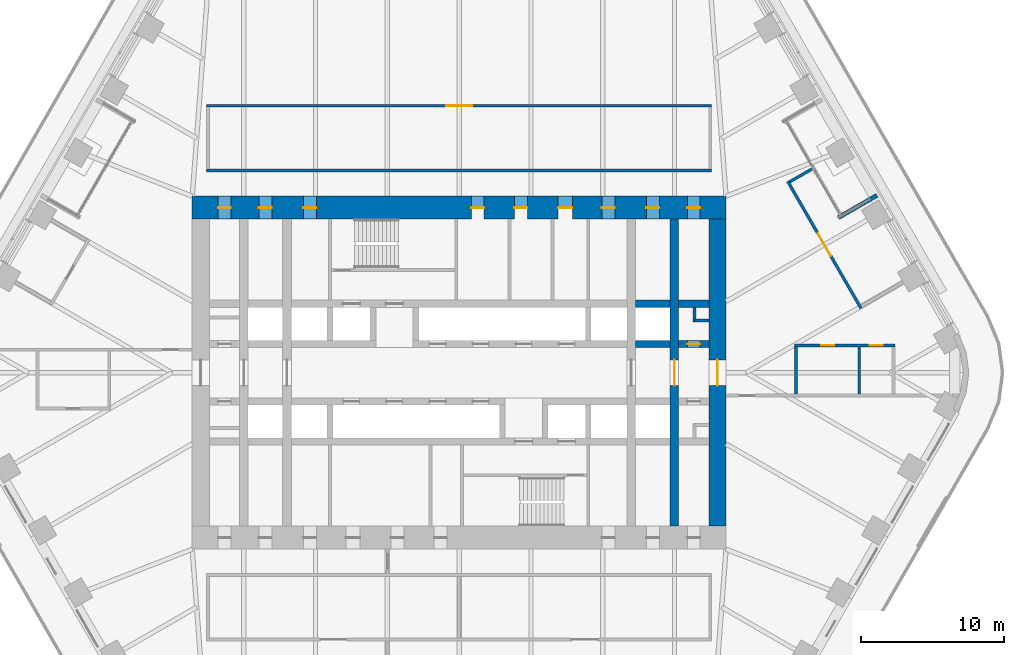
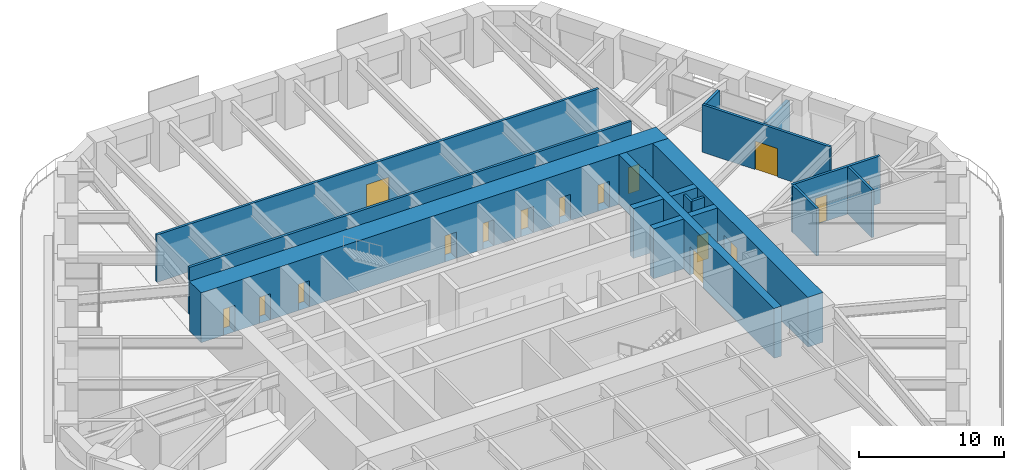
# One storey, part 20 of 24: 17 walls, 16 doors, 16 openings.
"""IFC4 building model written with IfcOpenShell, lengths in metres."""

from ifc_helpers import new_model, si_unit, direction, frame, frame_2d, origin, place, context, subcontext, project, spatial, rectangle, extrude, material, layer, layer_set, type_object, element, fill, save


model = new_model("IFC4")

# Units and contexts
model_context = context("Model", 3, precision=1e-05, world=origin(), true_north=direction((0.0, 1.0)))
body_context = subcontext(model_context, "Body", "Model", "MODEL_VIEW")
ifc_project = project(units=[si_unit("LENGTHUNIT", "METRE"), si_unit("AREAUNIT", "SQUARE_METRE"), si_unit("VOLUMEUNIT", "CUBIC_METRE"), si_unit("PLANEANGLEUNIT", "RADIAN"), si_unit("MASSUNIT", "GRAM", prefix="KILO")], contexts=[model_context])

# Site, building, storey
site_placement = place(None, origin())
site = spatial("IfcSite", under=ifc_project, at=site_placement, CompositionType="ELEMENT")
building_placement = place(site_placement, origin())
building = spatial("IfcBuilding", under=site, at=building_placement, Name="Tarfa Lantern Tower", CompositionType="ELEMENT")
storey_placement = place(building_placement, frame((0.0, 0.0, 174.10009765625)))
storey = spatial("IfcBuildingStorey", under=building, at=storey_placement, Name="L39", CompositionType="ELEMENT", Elevation=174.10009765625)

# Walls
ifc_material_1 = material(Name="Limestone cladding on blockwork", Category="masonry")
ifc_layer_1 = layer(ifc_material_1, 0.300048828125)
ifc_layer_set_1 = layer_set([ifc_layer_1], Name="EW1 STONE-CLAD WALL 300")
wall_type_1 = type_object("IfcWallType", Name="EW1 STONE-CLAD WALL 300", PredefinedType="SOLIDWALL", material=ifc_layer_set_1)
wall_1_placement = place(storey_placement, frame((29.1201171875, 12.362548828125, 0.0), z_axis=(0.0, 0.0, 1.0), x_axis=(-0.86602952684, -0.49999285859, 0.0)))
element("IfcWall", 1, at=wall_1_placement, inside=storey, type_object=wall_type_1, Name="Loggia return NE 1", PredefinedType="SOLIDWALL", context=body_context, shape_type="SweptSolid", body=[
    extrude(rectangle(XDim=3.10009765625, YDim=0.300048828125, at=frame_2d((1.550048828125, 0.0))), origin(), (0.0, 0.0, 1.0), 2.75),
])
ifc_material_2 = material(Name="Concrete blockwork", Category="masonry")
ifc_layer_2 = layer(ifc_material_2, 0.199951171875)
ifc_layer_set_2 = layer_set([ifc_layer_2], Name="IW1 BLOCKWORK PARTITION 200 EI 120")
wall_type_2 = type_object("IfcWallType", Name="IW1 BLOCKWORK PARTITION 200 EI 120", PredefinedType="PARTITIONING", material=ifc_layer_set_2)
for number, where, z_axis, x_axis, name in (
    (2, (16.39990234375, 3.64990234375, 0.0), (0.0, 0.0, 1.0), (1.0, 0.0, 0.0), "Core partition"),
    (3, (16.39990234375, 3.550048828125, 0.0), (0.0, 0.0, 1.0), (0.0, 1.0, 0.0), "Core partition"),
):
    element("IfcWall", number, at=place(storey_placement, frame(where, z_axis=z_axis, x_axis=x_axis)), inside=storey, type_object=wall_type_2, Name=name, PredefinedType="PARTITIONING", context=body_context, shape_type="SweptSolid", body=[
        extrude(rectangle(XDim=1.0, YDim=0.199951171875, at=frame_2d((0.5, 0.0))), origin(), (0.0, 0.0, 1.0), 4.0),
    ])
ifc_material_3 = material(Name="Gypsum board on steel studs", Category="steel")
ifc_layer_3 = layer(ifc_material_3, 0.2099609375)
ifc_layer_set_3 = layer_set([ifc_layer_3], Name="IW2 ACOUSTIC PARTITION 200")
wall_type_3 = type_object("IfcWallType", Name="IW2 ACOUSTIC PARTITION 200", PredefinedType="PARTITIONING", material=ifc_layer_set_3)
wall_2_placement = place(storey_placement, frame((-17.60009765625, 14.10009765625, 0.0), z_axis=(0.0, 0.0, 1.0), x_axis=(1.0, 0.0, 0.0)))
element("IfcWall", 4, at=wall_2_placement, inside=storey, type_object=wall_type_3, Name="Partition", PredefinedType="PARTITIONING", context=body_context, shape_type="SweptSolid", body=[
    extrude(rectangle(XDim=35.2001953125, YDim=0.199951171875, at=frame_2d((17.60009765625, 0.0))), origin(), (0.0, 0.0, 1.0), 4.0),
])

# Wall, opening, door
wall_3_placement = place(storey_placement, frame((-17.60009765625, 18.60009765625, 0.0), z_axis=(0.0, 0.0, 1.0), x_axis=(1.0, 0.0, 0.0)))
wall_3 = element("IfcWall", 5, at=wall_3_placement, inside=storey, type_object=wall_type_3, Name="Partition", PredefinedType="PARTITIONING", context=body_context, shape_type="SweptSolid", body=[
    extrude(rectangle(XDim=35.2001953125, YDim=0.199951171875, at=frame_2d((17.60009765625, 0.0))), origin(), (0.0, 0.0, 1.0), 4.0),
])
opening_1_placement = place(wall_3_placement, frame((16.699951171875, 0.0, 0.0)))
opening_1 = element("IfcOpeningElement", 6, at=opening_1_placement, cuts=wall_3, Name="Opening D36", PredefinedType="OPENING", context=body_context, shape_type="SweptSolid", body=[
    extrude(rectangle(XDim=1.800048828125, YDim=2.39990234375, at=frame_2d((0.89990234375, 1.199951171875))), frame((0.0, 0.10986328125, 0.0), z_axis=(0.0, -1.0, 0.0), x_axis=(1.0, 0.0, 0.0)), (0.0, 0.0, 1.0), 0.219970703125),
])
ifc_material_4 = material(Name="Timber door", Category="wood")
door_type_1 = type_object("IfcDoorType", Name="DR2 ROOM DOOR 1800x2400", OperationType="DOUBLE_DOOR_SINGLE_SWING", PredefinedType="DOOR", material=ifc_material_4)
door_1_placement = place(opening_1_placement, frame((1.800048828125, 0.0, 0.0), z_axis=(0.0, 0.0, 1.0), x_axis=(-1.0, 0.0, 0.0)))
door_1 = element("IfcDoor", 7, at=door_1_placement, inside=storey, type_object=door_type_1, Name="Meeting room door", OperationType="DOUBLE_DOOR_SINGLE_SWING", OverallHeight=2.39990234375, OverallWidth=1.800048828125, PredefinedType="DOOR", context=body_context, shape_type="SweptSolid", body=[
    extrude(rectangle(XDim=1.800048828125, YDim=2.39990234375, at=frame_2d((0.89990234375, 1.199951171875))), frame((0.0, 0.02490234375, 0.0), z_axis=(0.0, -1.0, 0.0), x_axis=(1.0, 0.0, 0.0)), (0.0, 0.0, 1.0), 0.050048828125),
])
fill(opening_1, door_1)

wall_4_placement = place(storey_placement, frame((28.00341796875, 4.496826171875, 0.0), z_axis=(0.0, 0.0, 1.0), x_axis=(-0.500005407604, 0.86602228168, 0.0)))
wall_4 = element("IfcWall", 8, at=wall_4_placement, inside=storey, type_object=wall_type_3, Name="Partition", PredefinedType="PARTITIONING", context=body_context, shape_type="SweptSolid", body=[
    extrude(rectangle(XDim=10.20751953125, YDim=0.199951171875, at=frame_2d((5.103759765625, 0.0))), origin(), (0.0, 0.0, 1.0), 4.0),
])
opening_2_placement = place(wall_4_placement, frame((4.20361328125, 0.0, 0.0)))
opening_2 = element("IfcOpeningElement", 9, at=opening_2_placement, cuts=wall_4, Name="Opening D33", PredefinedType="OPENING", context=body_context, shape_type="SweptSolid", body=[
    extrude(rectangle(XDim=1.800048828125, YDim=2.39990234375, at=frame_2d((0.89990234375, 1.199951171875))), frame((0.0, 0.10986328125, 0.0), z_axis=(0.0, -1.0, 0.0), x_axis=(1.0, 0.0, 0.0)), (0.0, 0.0, 1.0), 0.219970703125),
])
door_2_placement = place(opening_2_placement, frame((1.800048828125, 0.0, 0.0), z_axis=(0.0, 0.0, 1.0), x_axis=(-1.0, 0.0, 0.0)))
door_2 = element("IfcDoor", 10, at=door_2_placement, inside=storey, type_object=door_type_1, Name="Creative studio door", OperationType="DOUBLE_DOOR_SINGLE_SWING", OverallHeight=2.39990234375, OverallWidth=1.800048828125, PredefinedType="DOOR", context=body_context, shape_type="SweptSolid", body=[
    extrude(rectangle(XDim=1.800048828125, YDim=2.39990234375, at=frame_2d((0.89990234375, 1.199951171875))), frame((0.0, 0.02490234375, 0.0), z_axis=(0.0, -1.0, 0.0), x_axis=(1.0, 0.0, 0.0)), (0.0, 0.0, 1.0), 0.050048828125),
])
fill(opening_2, door_2)

# Wall
wall_5_placement = place(storey_placement, frame((23.036376953125, 13.300048828125, 0.0), z_axis=(0.0, 0.0, 1.0), x_axis=(0.866029456041, 0.49999298122, 0.0)))
element("IfcWall", 11, at=wall_5_placement, inside=storey, type_object=wall_type_3, Name="Partition", PredefinedType="PARTITIONING", context=body_context, shape_type="SweptSolid", body=[
    extrude(rectangle(XDim=1.90087890625, YDim=0.199951171875, at=frame_2d((0.950439453125, 0.0))), origin(), (0.0, 0.0, 1.0), 4.0),
])

# Wall, openings, doors
wall_6_placement = place(storey_placement, frame((23.3828125, 1.89990234375, 0.0), z_axis=(0.0, 0.0, 1.0), x_axis=(1.0, 0.0, 0.0)))
wall_6 = element("IfcWall", 12, at=wall_6_placement, inside=storey, type_object=wall_type_3, Name="Partition", PredefinedType="PARTITIONING", context=body_context, shape_type="SweptSolid", body=[
    extrude(rectangle(XDim=7.0, YDim=0.199951171875, at=frame_2d((3.5, 0.0))), origin(), (0.0, 0.0, 1.0), 4.0),
])
opening_3_placement = place(wall_6_placement, frame((1.85009765625, 0.0, 0.0)))
opening_3 = element("IfcOpeningElement", 13, at=opening_3_placement, cuts=wall_6, Name="Opening D39", PredefinedType="OPENING", context=body_context, shape_type="SweptSolid", body=[
    extrude(rectangle(XDim=0.89990234375, YDim=2.199951171875, at=frame_2d((0.449951171875, 1.10009765625))), frame((0.0, 0.10986328125, 0.0), z_axis=(0.0, -1.0, 0.0), x_axis=(1.0, 0.0, 0.0)), (0.0, 0.0, 1.0), 0.219970703125),
])
opening_4_placement = place(wall_6_placement, frame((5.25, 0.0, 0.0)))
opening_4 = element("IfcOpeningElement", 14, at=opening_4_placement, cuts=wall_6, Name="Opening D40", PredefinedType="OPENING", context=body_context, shape_type="SweptSolid", body=[
    extrude(rectangle(XDim=0.89990234375, YDim=2.199951171875, at=frame_2d((0.449951171875, 1.10009765625))), frame((0.0, 0.10986328125, 0.0), z_axis=(0.0, -1.0, 0.0), x_axis=(1.0, 0.0, 0.0)), (0.0, 0.0, 1.0), 0.219970703125),
])
door_type_2 = type_object("IfcDoorType", Name="DR3 ROOM DOOR 900x2200", OperationType="SINGLE_SWING_LEFT", PredefinedType="DOOR", material=ifc_material_4)
door_3_placement = place(opening_3_placement, frame((0.89990234375, 0.0, 0.0), z_axis=(0.0, 0.0, 1.0), x_axis=(-1.0, 0.0, 0.0)))
door_3 = element("IfcDoor", 15, at=door_3_placement, inside=storey, type_object=door_type_2, Name="Project room door", OperationType="SINGLE_SWING_LEFT", OverallHeight=2.199951171875, OverallWidth=0.89990234375, PredefinedType="DOOR", context=body_context, shape_type="SweptSolid", body=[
    extrude(rectangle(XDim=0.89990234375, YDim=2.199951171875, at=frame_2d((0.449951171875, 1.10009765625))), frame((0.0, 0.02490234375, 0.0), z_axis=(0.0, -1.0, 0.0), x_axis=(1.0, 0.0, 0.0)), (0.0, 0.0, 1.0), 0.050048828125),
])
fill(opening_3, door_3)
door_4_placement = place(opening_4_placement, frame((0.89990234375, 0.0, 0.0), z_axis=(0.0, 0.0, 1.0), x_axis=(-1.0, 0.0, 0.0)))
door_4 = element("IfcDoor", 16, at=door_4_placement, inside=storey, type_object=door_type_2, Name="Print and copy room door", OperationType="SINGLE_SWING_RIGHT", OverallHeight=2.199951171875, OverallWidth=0.89990234375, PredefinedType="DOOR", context=body_context, shape_type="SweptSolid", body=[
    extrude(rectangle(XDim=0.89990234375, YDim=2.199951171875, at=frame_2d((0.449951171875, 1.10009765625))), frame((0.0, 0.02490234375, 0.0), z_axis=(0.0, -1.0, 0.0), x_axis=(1.0, 0.0, 0.0)), (0.0, 0.0, 1.0), 0.050048828125),
])
fill(opening_4, door_4)

# Walls
for number, where, z_axis, x_axis, name in (
    (17, (23.482666015625, -1.5, 0.0), (0.0, 0.0, 1.0), (0.0, 1.0, 0.0), "Partition"),
    (18, (27.8828125, -1.5, 0.0), (0.0, 0.0, 1.0), (0.0, 1.0, 0.0), "Partition"),
):
    element("IfcWall", number, at=place(storey_placement, frame(where, z_axis=z_axis, x_axis=x_axis)), inside=storey, type_object=wall_type_3, Name=name, PredefinedType="PARTITIONING", context=body_context, shape_type="SweptSolid", body=[
        extrude(rectangle(XDim=3.300048828125, YDim=0.199951171875, at=frame_2d((1.64990234375, 0.0))), origin(), (0.0, 0.0, 1.0), 4.0),
    ])

# Wall, opening, door
ifc_material_5 = material(Name="Concrete C80/95", Category="concrete")
ifc_layer_4 = layer(ifc_material_5, 1.199951171875)
ifc_layer_set_4 = layer_set([ifc_layer_4], Name="SW1 CORE WALL 1200")
wall_type_4 = type_object("IfcWallType", Name="SW1 CORE WALL 1200", PredefinedType="SHEAR", material=ifc_layer_set_4)
wall_7_placement = place(storey_placement, frame((18.0, -10.699951171875, 0.0), z_axis=(0.0, 0.0, 1.0), x_axis=(0.0, 1.0, 0.0)))
wall_7 = element("IfcWall", 19, at=wall_7_placement, inside=storey, type_object=wall_type_4, Name="Core wall E", PredefinedType="SHEAR", context=body_context, shape_type="SweptSolid", body=[
    extrude(rectangle(XDim=21.39990234375, YDim=1.199951171875, at=frame_2d((10.699951171875, 0.0))), origin(), (0.0, 0.0, 1.0), 4.199951171875),
])
opening_5_placement = place(wall_7_placement, frame((9.800048828125, 0.0, 0.0)))
opening_5 = element("IfcOpeningElement", 20, at=opening_5_placement, cuts=wall_7, Name="Opening D15", PredefinedType="OPENING", context=body_context, shape_type="SweptSolid", body=[
    extrude(rectangle(XDim=1.800048828125, YDim=2.39990234375, at=frame_2d((0.89990234375, 1.199951171875))), frame((0.0, 0.60986328125, 0.0), z_axis=(0.0, -1.0, 0.0), x_axis=(1.0, 0.0, 0.0)), (0.0, 0.0, 1.0), 1.219970703125),
])
ifc_material_6 = material(Name="Steel fire door", Category="steel")
door_type_3 = type_object("IfcDoorType", Name="DL1 LOBBY DOOR 1800x2400", OperationType="DOUBLE_DOOR_SINGLE_SWING", PredefinedType="DOOR", material=ifc_material_6)
door_5_placement = place(opening_5_placement, frame((1.800048828125, 0.0, 0.0), z_axis=(0.0, 0.0, 1.0), x_axis=(-1.0, 0.0, 0.0)))
door_5 = element("IfcDoor", 21, at=door_5_placement, inside=storey, type_object=door_type_3, Name="Lift lobby door", OperationType="DOUBLE_DOOR_SINGLE_SWING", OverallHeight=2.39990234375, OverallWidth=1.800048828125, PredefinedType="DOOR", context=body_context, shape_type="SweptSolid", body=[
    extrude(rectangle(XDim=1.800048828125, YDim=2.39990234375, at=frame_2d((0.89990234375, 1.199951171875))), frame((0.0, 0.02490234375, 0.0), z_axis=(0.0, -1.0, 0.0), x_axis=(1.0, 0.0, 0.0)), (0.0, 0.0, 1.0), 0.050048828125),
])
fill(opening_5, door_5)

# Wall
ifc_layer_5 = layer(ifc_material_5, 0.5)
ifc_layer_set_5 = layer_set([ifc_layer_5], Name="SW5 CORE WALL 500")
wall_type_5 = type_object("IfcWallType", Name="SW5 CORE WALL 500", PredefinedType="SHEAR", material=ifc_layer_set_5)
wall_8_placement = place(storey_placement, frame((12.300048828125, 2.0, 0.0), z_axis=(0.0, 0.0, 1.0), x_axis=(1.0, 0.0, 0.0)))
element("IfcWall", 22, at=wall_8_placement, inside=storey, type_object=wall_type_5, Name="Core wall lobby east N", PredefinedType="SHEAR", context=body_context, shape_type="SweptSolid", body=[
    extrude(rectangle(XDim=2.39990234375, YDim=0.5, at=frame_2d((1.199951171875, 0.0))), origin(), (0.0, 0.0, 1.0), 4.199951171875),
])

# Wall, opening, door
wall_9_placement = place(storey_placement, frame((15.300048828125, 2.0, 0.0), z_axis=(0.0, 0.0, 1.0), x_axis=(1.0, 0.0, 0.0)))
wall_9 = element("IfcWall", 23, at=wall_9_placement, inside=storey, type_object=wall_type_5, Name="Core wall lobby east N", PredefinedType="SHEAR", context=body_context, shape_type="SweptSolid", body=[
    extrude(rectangle(XDim=2.099853515625, YDim=0.5, at=frame_2d((1.0498046875, 0.0))), origin(), (0.0, 0.0, 1.0), 4.199951171875),
])
opening_6_placement = place(wall_9_placement, frame((0.60009765625, 0.0, 0.0)))
opening_6 = element("IfcOpeningElement", 24, at=opening_6_placement, cuts=wall_9, Name="Opening D17", PredefinedType="OPENING", context=body_context, shape_type="SweptSolid", body=[
    extrude(rectangle(XDim=0.89990234375, YDim=2.199951171875, at=frame_2d((0.449951171875, 1.10009765625))), frame((0.0, 0.260009765625, 0.0), z_axis=(0.0, -1.0, 0.0), x_axis=(1.0, 0.0, 0.0)), (0.0, 0.0, 1.0), 0.52001953125),
])
door_type_4 = type_object("IfcDoorType", Name="DF6 SERVICE ROOM DOOR 900x2200", OperationType="SINGLE_SWING_LEFT", PredefinedType="DOOR", material=ifc_material_6)
door_6_placement = place(opening_6_placement, origin())
door_6 = element("IfcDoor", 25, at=door_6_placement, inside=storey, type_object=door_type_4, Name="Service room door", OperationType="SINGLE_SWING_LEFT", OverallHeight=2.199951171875, OverallWidth=0.89990234375, PredefinedType="DOOR", context=body_context, shape_type="SweptSolid", body=[
    extrude(rectangle(XDim=0.89990234375, YDim=2.199951171875, at=frame_2d((0.449951171875, 1.10009765625))), frame((0.0, 0.02490234375, 0.0), z_axis=(0.0, -1.0, 0.0), x_axis=(1.0, 0.0, 0.0)), (0.0, 0.0, 1.0), 0.050048828125),
])
fill(opening_6, door_6)

# Walls
wall_10_placement = place(storey_placement, frame((12.300048828125, 4.800048828125, 0.0), z_axis=(0.0, 0.0, 1.0), x_axis=(1.0, 0.0, 0.0)))
element("IfcWall", 26, at=wall_10_placement, inside=storey, type_object=wall_type_5, Name="Core wall rear N", PredefinedType="SHEAR", context=body_context, shape_type="SweptSolid", body=[
    extrude(rectangle(XDim=2.39990234375, YDim=0.5, at=frame_2d((1.199951171875, 0.0))), origin(), (0.0, 0.0, 1.0), 4.199951171875),
])
wall_11_placement = place(storey_placement, frame((15.300048828125, 4.800048828125, 0.0), z_axis=(0.0, 0.0, 1.0), x_axis=(1.0, 0.0, 0.0)))
element("IfcWall", 27, at=wall_11_placement, inside=storey, type_object=wall_type_5, Name="Core wall rear N", PredefinedType="SHEAR", context=body_context, shape_type="SweptSolid", body=[
    extrude(rectangle(XDim=2.099853515625, YDim=0.5, at=frame_2d((1.0498046875, 0.0))), origin(), (0.0, 0.0, 1.0), 4.199951171875),
])

# Wall, openings, doors
ifc_layer_6 = layer(ifc_material_5, 1.60009765625)
ifc_layer_set_6 = layer_set([ifc_layer_6], Name="SW7 CORE WALL 1600")
wall_type_6 = type_object("IfcWallType", Name="SW7 CORE WALL 1600", PredefinedType="SHEAR", material=ifc_layer_set_6)
wall_12_placement = place(storey_placement, frame((-18.60009765625, 11.5, 0.0), z_axis=(0.0, 0.0, 1.0), x_axis=(1.0, 0.0, 0.0)))
wall_12 = element("IfcWall", 28, at=wall_12_placement, inside=storey, type_object=wall_type_6, Name="Core wall N", PredefinedType="SHEAR", context=body_context, shape_type="SweptSolid", body=[
    extrude(rectangle(XDim=37.2001953125, YDim=1.60009765625, at=frame_2d((18.60009765625, 0.0))), origin(), (0.0, 0.0, 1.0), 4.199951171875),
])
opening_7_placement = place(wall_12_placement, frame((19.449951171875, 0.0, 0.0)))
opening_7 = element("IfcOpeningElement", 29, at=opening_7_placement, cuts=wall_12, Name="Opening D21", PredefinedType="OPENING", context=body_context, shape_type="SweptSolid", body=[
    extrude(rectangle(XDim=0.89990234375, YDim=2.199951171875, at=frame_2d((0.449951171875, 1.10009765625))), frame((0.0, 0.81005859375, 0.0), z_axis=(0.0, -1.0, 0.0), x_axis=(1.0, 0.0, 0.0)), (0.0, 0.0, 1.0), 1.6201171875),
])
opening_8_placement = place(wall_12_placement, frame((22.449951171875, 0.0, 0.0)))
opening_8 = element("IfcOpeningElement", 30, at=opening_8_placement, cuts=wall_12, Name="Opening D23", PredefinedType="OPENING", context=body_context, shape_type="SweptSolid", body=[
    extrude(rectangle(XDim=0.89990234375, YDim=2.199951171875, at=frame_2d((0.449951171875, 1.10009765625))), frame((0.0, 0.81005859375, 0.0), z_axis=(0.0, -1.0, 0.0), x_axis=(1.0, 0.0, 0.0)), (0.0, 0.0, 1.0), 1.6201171875),
])
opening_9_placement = place(wall_12_placement, frame((25.5, 0.0, 0.0)))
opening_9 = element("IfcOpeningElement", 31, at=opening_9_placement, cuts=wall_12, Name="Opening D25", PredefinedType="OPENING", context=body_context, shape_type="SweptSolid", body=[
    extrude(rectangle(XDim=1.0, YDim=2.199951171875, at=frame_2d((0.5, 1.10009765625))), frame((0.0, 0.81005859375, 0.0), z_axis=(0.0, -1.0, 0.0), x_axis=(1.0, 0.0, 0.0)), (0.0, 0.0, 1.0), 1.6201171875),
])
opening_10_placement = place(wall_12_placement, frame((1.800048828125, 0.0, 0.0)))
opening_10 = element("IfcOpeningElement", 32, at=opening_10_placement, cuts=wall_12, Name="Opening D11", PredefinedType="OPENING", context=body_context, shape_type="SweptSolid", body=[
    extrude(rectangle(XDim=0.89990234375, YDim=2.199951171875, at=frame_2d((0.449951171875, 1.10009765625))), frame((0.0, 0.81005859375, 0.0), z_axis=(0.0, -1.0, 0.0), x_axis=(1.0, 0.0, 0.0)), (0.0, 0.0, 1.0), 1.6201171875),
])
opening_11_placement = place(wall_12_placement, frame((4.64990234375, 0.0, 0.0)))
opening_11 = element("IfcOpeningElement", 33, at=opening_11_placement, cuts=wall_12, Name="Opening D07", PredefinedType="OPENING", context=body_context, shape_type="SweptSolid", body=[
    extrude(rectangle(XDim=0.89990234375, YDim=2.199951171875, at=frame_2d((0.449951171875, 1.10009765625))), frame((0.0, 0.81005859375, 0.0), z_axis=(0.0, -1.0, 0.0), x_axis=(1.0, 0.0, 0.0)), (0.0, 0.0, 1.0), 1.6201171875),
])
opening_12_placement = place(wall_12_placement, frame((7.75, 0.0, 0.0)))
opening_12 = element("IfcOpeningElement", 34, at=opening_12_placement, cuts=wall_12, Name="Opening D09", PredefinedType="OPENING", context=body_context, shape_type="SweptSolid", body=[
    extrude(rectangle(XDim=0.89990234375, YDim=2.199951171875, at=frame_2d((0.449951171875, 1.10009765625))), frame((0.0, 0.81005859375, 0.0), z_axis=(0.0, -1.0, 0.0), x_axis=(1.0, 0.0, 0.0)), (0.0, 0.0, 1.0), 1.6201171875),
])
opening_13_placement = place(wall_12_placement, frame((28.550048828125, 0.0, 0.0)))
opening_13 = element("IfcOpeningElement", 35, at=opening_13_placement, cuts=wall_12, Name="Opening D05", PredefinedType="OPENING", context=body_context, shape_type="SweptSolid", body=[
    extrude(rectangle(XDim=0.89990234375, YDim=2.199951171875, at=frame_2d((0.449951171875, 1.10009765625))), frame((0.0, 0.81005859375, 0.0), z_axis=(0.0, -1.0, 0.0), x_axis=(1.0, 0.0, 0.0)), (0.0, 0.0, 1.0), 1.6201171875),
])
opening_14_placement = place(wall_12_placement, frame((31.64990234375, 0.0, 0.0)))
opening_14 = element("IfcOpeningElement", 36, at=opening_14_placement, cuts=wall_12, Name="Opening D01", PredefinedType="OPENING", context=body_context, shape_type="SweptSolid", body=[
    extrude(rectangle(XDim=0.89990234375, YDim=2.199951171875, at=frame_2d((0.449951171875, 1.10009765625))), frame((0.0, 0.81005859375, 0.0), z_axis=(0.0, -1.0, 0.0), x_axis=(1.0, 0.0, 0.0)), (0.0, 0.0, 1.0), 1.6201171875),
])
opening_15_placement = place(wall_12_placement, frame((34.5, 0.0, 0.0)))
opening_15 = element("IfcOpeningElement", 37, at=opening_15_placement, cuts=wall_12, Name="Opening D03", PredefinedType="OPENING", context=body_context, shape_type="SweptSolid", body=[
    extrude(rectangle(XDim=0.89990234375, YDim=2.199951171875, at=frame_2d((0.449951171875, 1.10009765625))), frame((0.0, 0.81005859375, 0.0), z_axis=(0.0, -1.0, 0.0), x_axis=(1.0, 0.0, 0.0)), (0.0, 0.0, 1.0), 1.6201171875),
])
door_type_5 = type_object("IfcDoorType", Name="DF3 CORE ROOM DOOR 900x2200", OperationType="SINGLE_SWING_LEFT", PredefinedType="DOOR", material=ifc_material_6)
door_7_placement = place(opening_7_placement, frame((0.89990234375, 0.0, 0.0), z_axis=(0.0, 0.0, 1.0), x_axis=(-1.0, 0.0, 0.0)))
door_7 = element("IfcDoor", 38, at=door_7_placement, inside=storey, type_object=door_type_5, Name="Core door", OperationType="SINGLE_SWING_LEFT", OverallHeight=2.199951171875, OverallWidth=0.89990234375, PredefinedType="DOOR", context=body_context, shape_type="SweptSolid", body=[
    extrude(rectangle(XDim=0.89990234375, YDim=2.199951171875, at=frame_2d((0.449951171875, 1.10009765625))), frame((0.0, 0.02490234375, 0.0), z_axis=(0.0, -1.0, 0.0), x_axis=(1.0, 0.0, 0.0)), (0.0, 0.0, 1.0), 0.050048828125),
])
fill(opening_7, door_7)
door_8_placement = place(opening_8_placement, frame((0.89990234375, 0.0, 0.0), z_axis=(0.0, 0.0, 1.0), x_axis=(-1.0, 0.0, 0.0)))
door_8 = element("IfcDoor", 39, at=door_8_placement, inside=storey, type_object=door_type_5, Name="Core door", OperationType="SINGLE_SWING_LEFT", OverallHeight=2.199951171875, OverallWidth=0.89990234375, PredefinedType="DOOR", context=body_context, shape_type="SweptSolid", body=[
    extrude(rectangle(XDim=0.89990234375, YDim=2.199951171875, at=frame_2d((0.449951171875, 1.10009765625))), frame((0.0, 0.02490234375, 0.0), z_axis=(0.0, -1.0, 0.0), x_axis=(1.0, 0.0, 0.0)), (0.0, 0.0, 1.0), 0.050048828125),
])
fill(opening_8, door_8)
door_type_6 = type_object("IfcDoorType", Name="DF4 CORE ROOM DOOR 1000x2200", OperationType="SINGLE_SWING_LEFT", PredefinedType="DOOR", material=ifc_material_6)
door_9_placement = place(opening_9_placement, frame((1.0, 0.0, 0.0), z_axis=(0.0, 0.0, 1.0), x_axis=(-1.0, 0.0, 0.0)))
door_9 = element("IfcDoor", 40, at=door_9_placement, inside=storey, type_object=door_type_6, Name="Core door", OperationType="SINGLE_SWING_LEFT", OverallHeight=2.199951171875, OverallWidth=1.0, PredefinedType="DOOR", context=body_context, shape_type="SweptSolid", body=[
    extrude(rectangle(XDim=1.0, YDim=2.199951171875, at=frame_2d((0.5, 1.10009765625))), frame((0.0, 0.02490234375, 0.0), z_axis=(0.0, -1.0, 0.0), x_axis=(1.0, 0.0, 0.0)), (0.0, 0.0, 1.0), 0.050048828125),
])
fill(opening_9, door_9)
door_type_7 = type_object("IfcDoorType", Name="DF5 RISER DOOR 900x2200", OperationType="SINGLE_SWING_LEFT", PredefinedType="DOOR", material=ifc_material_6)
door_10_placement = place(opening_10_placement, frame((0.89990234375, 0.0, 0.0), z_axis=(0.0, 0.0, 1.0), x_axis=(-1.0, 0.0, 0.0)))
door_10 = element("IfcDoor", 41, at=door_10_placement, inside=storey, type_object=door_type_7, Name="Riser door", OperationType="SINGLE_SWING_LEFT", OverallHeight=2.199951171875, OverallWidth=0.89990234375, PredefinedType="DOOR", context=body_context, shape_type="SweptSolid", body=[
    extrude(rectangle(XDim=0.89990234375, YDim=2.199951171875, at=frame_2d((0.449951171875, 1.10009765625))), frame((0.0, 0.02490234375, 0.0), z_axis=(0.0, -1.0, 0.0), x_axis=(1.0, 0.0, 0.0)), (0.0, 0.0, 1.0), 0.050048828125),
])
fill(opening_10, door_10)
door_11_placement = place(opening_11_placement, frame((0.89990234375, 0.0, 0.0), z_axis=(0.0, 0.0, 1.0), x_axis=(-1.0, 0.0, 0.0)))
door_11 = element("IfcDoor", 42, at=door_11_placement, inside=storey, type_object=door_type_7, Name="Riser door", OperationType="SINGLE_SWING_LEFT", OverallHeight=2.199951171875, OverallWidth=0.89990234375, PredefinedType="DOOR", context=body_context, shape_type="SweptSolid", body=[
    extrude(rectangle(XDim=0.89990234375, YDim=2.199951171875, at=frame_2d((0.449951171875, 1.10009765625))), frame((0.0, 0.02490234375, 0.0), z_axis=(0.0, -1.0, 0.0), x_axis=(1.0, 0.0, 0.0)), (0.0, 0.0, 1.0), 0.050048828125),
])
fill(opening_11, door_11)
door_12_placement = place(opening_12_placement, frame((0.89990234375, 0.0, 0.0), z_axis=(0.0, 0.0, 1.0), x_axis=(-1.0, 0.0, 0.0)))
door_12 = element("IfcDoor", 43, at=door_12_placement, inside=storey, type_object=door_type_7, Name="Riser door", OperationType="SINGLE_SWING_LEFT", OverallHeight=2.199951171875, OverallWidth=0.89990234375, PredefinedType="DOOR", context=body_context, shape_type="SweptSolid", body=[
    extrude(rectangle(XDim=0.89990234375, YDim=2.199951171875, at=frame_2d((0.449951171875, 1.10009765625))), frame((0.0, 0.02490234375, 0.0), z_axis=(0.0, -1.0, 0.0), x_axis=(1.0, 0.0, 0.0)), (0.0, 0.0, 1.0), 0.050048828125),
])
fill(opening_12, door_12)
door_13_placement = place(opening_13_placement, frame((0.89990234375, 0.0, 0.0), z_axis=(0.0, 0.0, 1.0), x_axis=(-1.0, 0.0, 0.0)))
door_13 = element("IfcDoor", 44, at=door_13_placement, inside=storey, type_object=door_type_7, Name="Riser door", OperationType="SINGLE_SWING_RIGHT", OverallHeight=2.199951171875, OverallWidth=0.89990234375, PredefinedType="DOOR", context=body_context, shape_type="SweptSolid", body=[
    extrude(rectangle(XDim=0.89990234375, YDim=2.199951171875, at=frame_2d((0.449951171875, 1.10009765625))), frame((0.0, 0.02490234375, 0.0), z_axis=(0.0, -1.0, 0.0), x_axis=(1.0, 0.0, 0.0)), (0.0, 0.0, 1.0), 0.050048828125),
])
fill(opening_13, door_13)
door_14_placement = place(opening_14_placement, frame((0.89990234375, 0.0, 0.0), z_axis=(0.0, 0.0, 1.0), x_axis=(-1.0, 0.0, 0.0)))
door_14 = element("IfcDoor", 45, at=door_14_placement, inside=storey, type_object=door_type_7, Name="Riser door", OperationType="SINGLE_SWING_RIGHT", OverallHeight=2.199951171875, OverallWidth=0.89990234375, PredefinedType="DOOR", context=body_context, shape_type="SweptSolid", body=[
    extrude(rectangle(XDim=0.89990234375, YDim=2.199951171875, at=frame_2d((0.449951171875, 1.10009765625))), frame((0.0, 0.02490234375, 0.0), z_axis=(0.0, -1.0, 0.0), x_axis=(1.0, 0.0, 0.0)), (0.0, 0.0, 1.0), 0.050048828125),
])
fill(opening_14, door_14)
door_15_placement = place(opening_15_placement, frame((0.89990234375, 0.0, 0.0), z_axis=(0.0, 0.0, 1.0), x_axis=(-1.0, 0.0, 0.0)))
door_15 = element("IfcDoor", 46, at=door_15_placement, inside=storey, type_object=door_type_7, Name="Riser door", OperationType="SINGLE_SWING_RIGHT", OverallHeight=2.199951171875, OverallWidth=0.89990234375, PredefinedType="DOOR", context=body_context, shape_type="SweptSolid", body=[
    extrude(rectangle(XDim=0.89990234375, YDim=2.199951171875, at=frame_2d((0.449951171875, 1.10009765625))), frame((0.0, 0.02490234375, 0.0), z_axis=(0.0, -1.0, 0.0), x_axis=(1.0, 0.0, 0.0)), (0.0, 0.0, 1.0), 0.050048828125),
])
fill(opening_15, door_15)

# Wall, opening, door
ifc_layer_7 = layer(ifc_material_5, 0.60009765625)
ifc_layer_set_7 = layer_set([ifc_layer_7], Name="SW9 CORE WALL 600")
wall_type_7 = type_object("IfcWallType", Name="SW9 CORE WALL 600", PredefinedType="SHEAR", material=ifc_layer_set_7)
wall_13_placement = place(storey_placement, frame((15.0, -10.699951171875, 0.0), z_axis=(0.0, 0.0, 1.0), x_axis=(0.0, 1.0, 0.0)))
wall_13 = element("IfcWall", 47, at=wall_13_placement, inside=storey, type_object=wall_type_7, Name="Core wall cross 15 m east", PredefinedType="SHEAR", context=body_context, shape_type="SweptSolid", body=[
    extrude(rectangle(XDim=21.39990234375, YDim=0.60009765625, at=frame_2d((10.699951171875, 0.0))), origin(), (0.0, 0.0, 1.0), 4.199951171875),
])
opening_16_placement = place(wall_13_placement, frame((9.800048828125, 0.0, 0.0)))
opening_16 = element("IfcOpeningElement", 48, at=opening_16_placement, cuts=wall_13, Name="Opening D30", PredefinedType="OPENING", context=body_context, shape_type="SweptSolid", body=[
    extrude(rectangle(XDim=1.800048828125, YDim=2.39990234375, at=frame_2d((0.89990234375, 1.199951171875))), frame((0.0, 0.31005859375, 0.0), z_axis=(0.0, -1.0, 0.0), x_axis=(1.0, 0.0, 0.0)), (0.0, 0.0, 1.0), 0.6201171875),
])
door_16_placement = place(opening_16_placement, origin())
door_16 = element("IfcDoor", 49, at=door_16_placement, inside=storey, type_object=door_type_3, Name="Lift lobby door", OperationType="DOUBLE_DOOR_SINGLE_SWING", OverallHeight=2.39990234375, OverallWidth=1.800048828125, PredefinedType="DOOR", context=body_context, shape_type="SweptSolid", body=[
    extrude(rectangle(XDim=1.800048828125, YDim=2.39990234375, at=frame_2d((0.89990234375, 1.199951171875))), frame((0.0, 0.02490234375, 0.0), z_axis=(0.0, -1.0, 0.0), x_axis=(1.0, 0.0, 0.0)), (0.0, 0.0, 1.0), 0.050048828125),
])
fill(opening_16, door_16)

save(model, "model.ifc")
